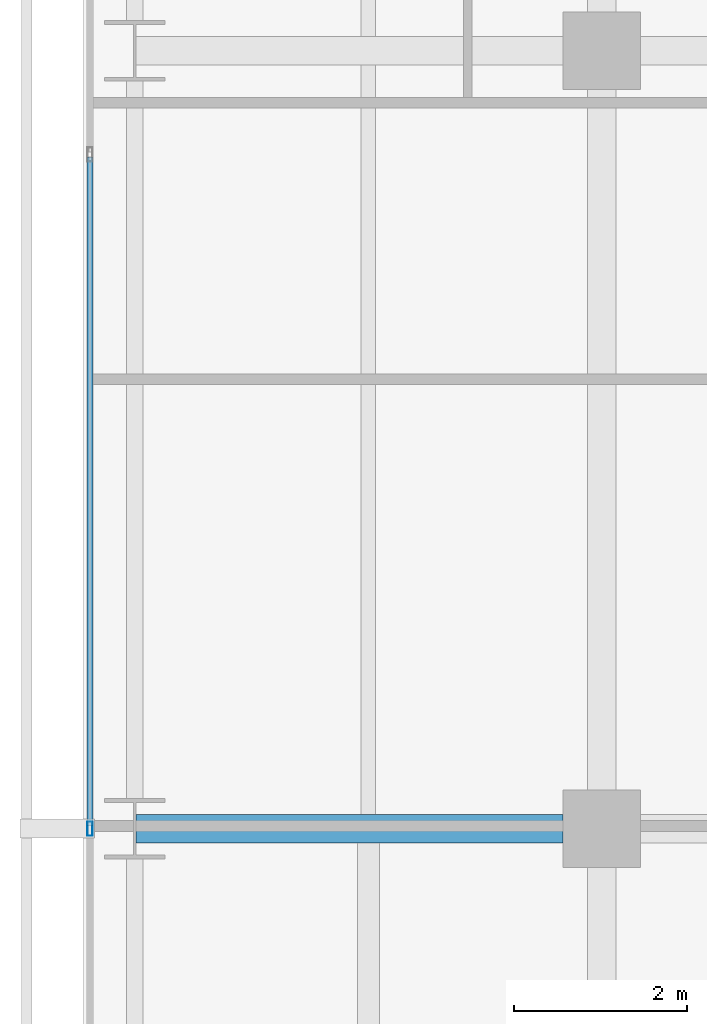
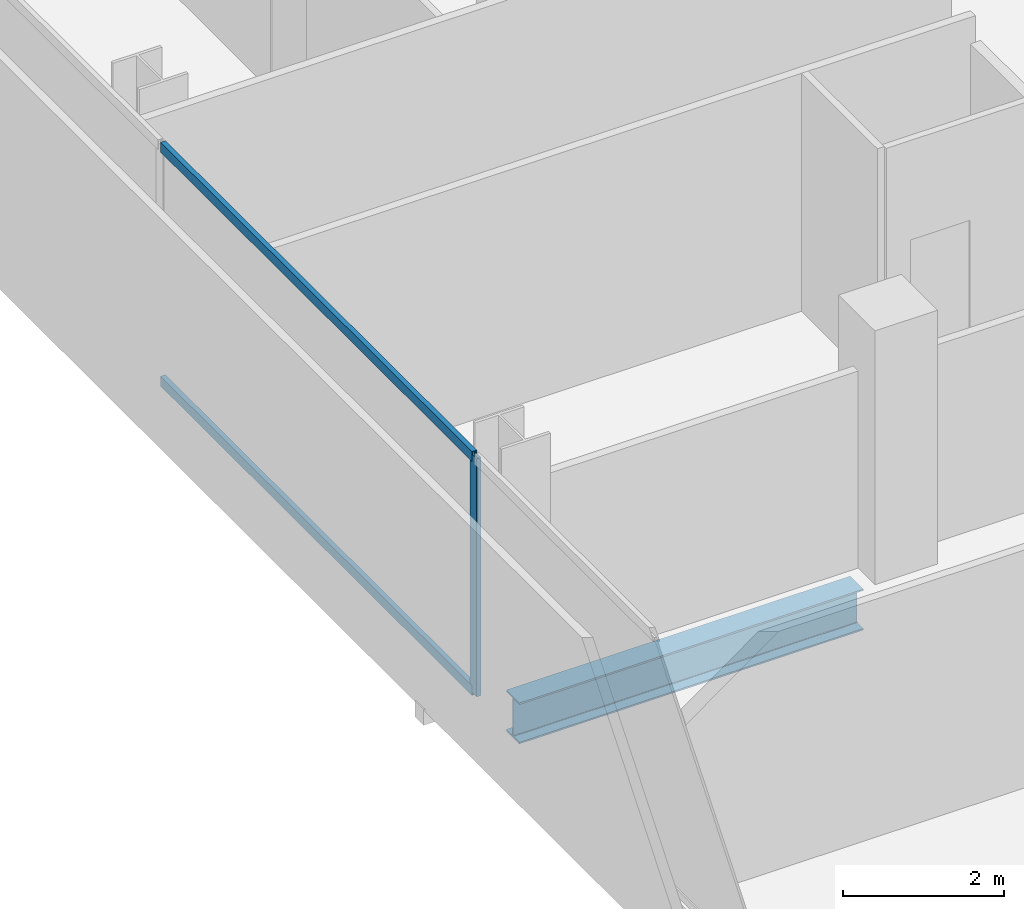
# One storey, part 12 of 40: 3 members, 1 beam, 1 element without a shape of its own.
"""IFC4 building model written with IfcOpenShell, lengths in metres."""

from ifc_helpers import new_model, si_unit, direction, frame, origin, origin_2d, place, context, subcontext, project, spatial, hollow_rectangle, i_section, extrude, material, layer, layer_set, material_profile, profile_set, type_object, element, aggregate, save


model = new_model("IFC4")

# Units and contexts
model_context = context("Model", 3, precision=1e-05, world=origin(), true_north=direction((0.0, 1.0)))
body_context = subcontext(model_context, "Body", "Model", "MODEL_VIEW")
ifc_project = project(units=[si_unit("LENGTHUNIT", "METRE"), si_unit("AREAUNIT", "SQUARE_METRE"), si_unit("VOLUMEUNIT", "CUBIC_METRE"), si_unit("PLANEANGLEUNIT", "RADIAN"), si_unit("MASSUNIT", "GRAM", prefix="KILO")], contexts=[model_context])

# Site, building, storey
site_placement = place(None, origin())
site = spatial("IfcSite", under=ifc_project, at=site_placement, CompositionType="ELEMENT")
building_placement = place(site_placement, origin())
building = spatial("IfcBuilding", under=site, at=building_placement, Name="Maruvema Waterfront Hotel and Observation Tower", CompositionType="ELEMENT")
storey_placement = place(building_placement, frame((0.0, 0.0, 50.050048828125)))
storey = spatial("IfcBuildingStorey", under=building, at=storey_placement, Name="L11", CompositionType="ELEMENT", Elevation=50.050048828125)

# Curtain wall, members
ifc_material_1 = material(Name="Anodised bronze aluminium and solar-control low-E IGU", Category="aluminium")
ifc_layer = layer(ifc_material_1, 0.159912109375, Name="Zone 1 Bronze Inner Thermal Curtain Wall System CW-02")
ifc_layer_set = layer_set([ifc_layer], Name="Anodised bronze aluminium and solar-control low-E IGU")
curtain_wall_type = type_object("IfcCurtainWallType", Name="Zone 1 Bronze Inner Thermal Curtain Wall System CW-02", PredefinedType="USERDEFINED", material=ifc_layer_set)
curtain_wall_placement = place(storey_placement, origin())
curtain_wall = element("IfcCurtainWall", 1, at=curtain_wall_placement, inside=storey, type_object=curtain_wall_type, Name="L11 Curtain Wall CW-L11-W", ObjectType="UNITISED CURTAIN WALL", PredefinedType="USERDEFINED")
ifc_material_2 = material(Name="Anodised architectural bronze aluminium", Category="aluminium")
ifc_material_profile_1 = material_profile(ifc_material_2, hollow_rectangle(XDim=0.070068359375, YDim=0.14990234375, WallThickness=0.00390625, at=origin_2d()), Name="ALU-T70x150")
ifc_profile_set_1 = profile_set([ifc_material_profile_1], Name="Anodised architectural bronze aluminium")
member_type_1 = type_object("IfcMemberType", Name="Curtain Wall Horizontal Transom ALU-T70x150", PredefinedType="USERDEFINED", material=ifc_profile_set_1)
member_1_placement = place(storey_placement, frame((10.8798828125, 34.77001953125, 0.030029296875), z_axis=(0.0, -1.0, 0.0), x_axis=(1.0, 0.0, 0.0)))
member_1 = element("IfcMember", 2, at=member_1_placement, type_object=member_type_1, Name="CW-02 transom 3.1", ObjectType="TRANSOM", PredefinedType="USERDEFINED", context=body_context, shape_type="SweptSolid", body=[
    extrude(hollow_rectangle(XDim=0.070068359375, YDim=0.14990234375, WallThickness=0.00390625, at=origin_2d()), origin(), (0.0, 0.0, 1.0), 7.739990234375),
])
member_2_placement = place(storey_placement, frame((10.8798828125, 34.77001953125, 3.579833984375), z_axis=(0.0, -1.0, 0.0), x_axis=(1.0, 0.0, 0.0)))
member_2 = element("IfcMember", 3, at=member_2_placement, type_object=member_type_1, Name="CW-02 transom 3.2", ObjectType="TRANSOM", PredefinedType="USERDEFINED", context=body_context, shape_type="SweptSolid", body=[
    extrude(hollow_rectangle(XDim=0.070068359375, YDim=0.14990234375, WallThickness=0.00390625, at=origin_2d()), origin(), (0.0, 0.0, 1.0), 7.739990234375),
])
ifc_material_3 = material(Name="Anodised architectural bronze aluminium", Category="aluminium")
ifc_material_profile_2 = material_profile(ifc_material_3, hollow_rectangle(XDim=0.06494140625, YDim=0.1650390625, WallThickness=0.00390625, at=origin_2d()), Name="ALU-M65x165")
ifc_profile_set_2 = profile_set([ifc_material_profile_2], Name="Anodised architectural bronze aluminium")
member_type_2 = type_object("IfcMemberType", Name="Curtain Wall Primary Mullion ALU-M65x165", PredefinedType="MULLION", material=ifc_profile_set_2)
member_3_placement = place(storey_placement, frame((10.8798828125, 27.0, 0.0), z_axis=(0.0, 0.0, 1.0), x_axis=(1.0, 0.0, 0.0)))
member_3 = element("IfcMember", 4, at=member_3_placement, type_object=member_type_2, Name="CW-02 mullion 4", PredefinedType="MULLION", context=body_context, shape_type="SweptSolid", body=[
    extrude(hollow_rectangle(XDim=0.06494140625, YDim=0.1650390625, WallThickness=0.00390625, at=origin_2d()), origin(), (0.0, 0.0, 1.0), 3.60986328125),
])
aggregate(curtain_wall, [member_3, member_1, member_2])

# Beam
ifc_material_4 = material(Name="Steel ASTM A572 Grade 50", Category="steel")
ifc_material_profile_3 = material_profile(ifc_material_4, i_section(OverallWidth=0.326904296875, OverallDepth=0.6220703125, WebThickness=0.015380859375, FlangeThickness=0.0244140625, FilletRadius=0.01806640625, at=origin_2d()), Name="W610x195.0")
ifc_profile_set_3 = profile_set([ifc_material_profile_3], Name="Steel ASTM A572 Grade 50")
beam_type = type_object("IfcBeamType", Name="Primary Floor Girder W610x195.0", PredefinedType="BEAM", material=ifc_profile_set_3)
beam_placement = place(storey_placement, frame((11.4140625, 27.0, -0.551025390625), z_axis=(1.0, 0.0, 0.0), x_axis=(0.0, 1.0, 0.0)))
element("IfcBeam", 5, at=beam_placement, inside=storey, type_object=beam_type, Name="L11 Floor Girder EW-20", PredefinedType="BEAM", context=body_context, shape_type="SweptSolid", body=[
    extrude(i_section(OverallWidth=0.326904296875, OverallDepth=0.6220703125, WebThickness=0.015380859375, FlangeThickness=0.0244140625, FilletRadius=0.01806640625, at=origin_2d()), origin(), (0.0, 0.0, 1.0), 4.93603515625),
])

save(model, "model.ifc")
